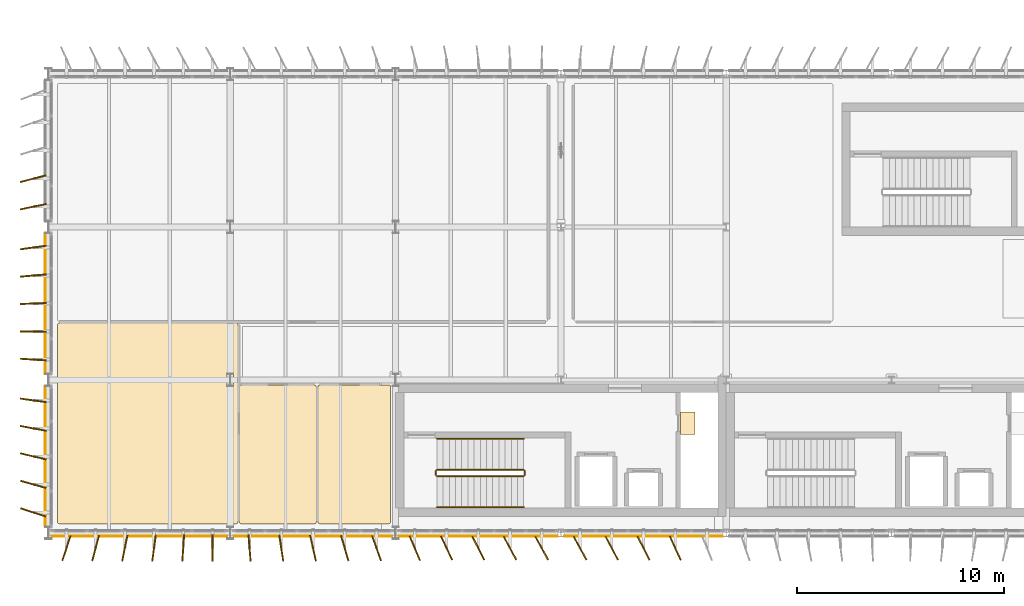
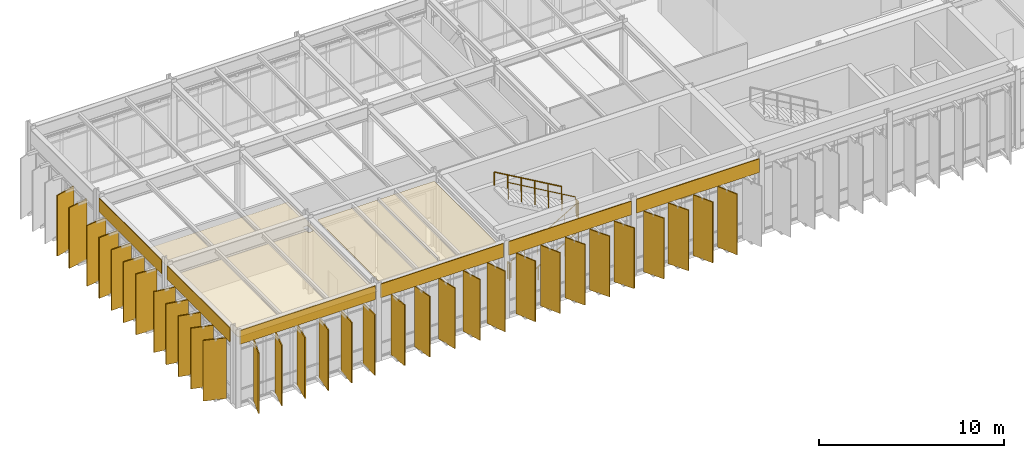
# One storey, part 40 of 48: 42 coverings, 6 railings.
"""IFC4 building model written with IfcOpenShell, lengths in metres."""

from ifc_helpers import new_model, si_unit, direction, frame, frame_2d, origin, origin_2d, place, context, subcontext, project, spatial, polyline, rectangle, circle, outline, extrude, material, layer, layer_set, type_object, element, save


model = new_model("IFC4")

# Units and contexts
model_context = context("Model", 3, precision=1e-05, world=origin(), true_north=direction((0.0, 1.0)))
body_context = subcontext(model_context, "Body", "Model", "MODEL_VIEW")
ifc_project = project(units=[si_unit("LENGTHUNIT", "METRE"), si_unit("AREAUNIT", "SQUARE_METRE"), si_unit("VOLUMEUNIT", "CUBIC_METRE"), si_unit("PLANEANGLEUNIT", "RADIAN"), si_unit("MASSUNIT", "GRAM", prefix="KILO")], contexts=[model_context])

# Site, building, storey
site_placement = place(None, origin())
site = spatial("IfcSite", under=ifc_project, at=site_placement, CompositionType="ELEMENT")
building_placement = place(site_placement, origin())
building = spatial("IfcBuilding", under=site, at=building_placement, Name="Valkorina Park Police Headquarters", CompositionType="ELEMENT")
storey_placement = place(building_placement, frame((0.0, 0.0, 18.10009765625)))
storey = spatial("IfcBuildingStorey", under=building, at=storey_placement, Name="L05", CompositionType="ELEMENT", Elevation=18.10009765625)

# Coverings
ifc_material_1 = material(Name="Acoustic mineral board")
ifc_layer_1 = layer(ifc_material_1, 0.02490234375)
ifc_layer_set_1 = layer_set([ifc_layer_1], Name="Acoustic mineral board")
covering_type_1 = type_object("IfcCoveringType", Name="COV-CEILING-ACOUST", PredefinedType="CEILING", material=ifc_layer_set_1)
covering_1_placement = place(storey_placement, frame((0.0, 0.0, 4.054931640625)))
element("IfcCovering", 1, at=covering_1_placement, inside=storey, type_object=covering_type_1, Name="Network Threat Intelligence Lab Acoustic Suspended Ceiling", PredefinedType="CEILING", context=body_context, shape_type="SweptSolid", body=[
    extrude(outline(polyline([(9.095703125, 47.158447265625), (9.087890625, 47.15966796875), (9.080078125, 47.159912109375), (0.52001953125, 47.159912109375), (0.51220703125, 47.15966796875), (0.50439453125, 47.158447265625), (0.496826171875, 47.156494140625), (0.489501953125, 47.15380859375), (0.482421875, 47.150634765625), (0.4755859375, 47.146484375), (0.46923828125, 47.141845703125), (0.46337890625, 47.13671875), (0.458251953125, 47.130859375), (0.45361328125, 47.12451171875), (0.449462890625, 47.11767578125), (0.446044921875, 47.110595703125), (0.443359375, 47.103271484375), (0.44140625, 47.095703125), (0.4404296875, 47.087890625), (0.43994140625, 47.080078125), (0.43994140625, 37.52001953125), (0.4404296875, 37.51220703125), (0.44140625, 37.50439453125), (0.443359375, 37.496826171875), (0.446044921875, 37.489501953125), (0.449462890625, 37.482421875), (0.45361328125, 37.4755859375), (0.458251953125, 37.46923828125), (0.46337890625, 37.46337890625), (0.46923828125, 37.458251953125), (0.4755859375, 37.45361328125), (0.482421875, 37.449462890625), (0.489501953125, 37.446044921875), (0.496826171875, 37.443359375), (0.50439453125, 37.44140625), (0.51220703125, 37.4404296875), (0.52001953125, 37.43994140625), (9.080078125, 37.43994140625), (9.087890625, 37.4404296875), (9.095703125, 37.44140625), (9.103271484375, 37.443359375), (9.110595703125, 37.446044921875), (9.11767578125, 37.449462890625), (9.12451171875, 37.45361328125), (9.130859375, 37.458251953125), (9.13671875, 37.46337890625), (9.141845703125, 37.46923828125), (9.146484375, 37.4755859375), (9.150634765625, 37.482421875), (9.15380859375, 37.489501953125), (9.156494140625, 37.496826171875), (9.158447265625, 37.50439453125), (9.15966796875, 37.51220703125), (9.159912109375, 37.52001953125), (9.159912109375, 47.080078125), (9.15966796875, 47.087890625), (9.158447265625, 47.095703125), (9.156494140625, 47.103271484375), (9.15380859375, 47.110595703125), (9.150634765625, 47.11767578125), (9.146484375, 47.12451171875), (9.141845703125, 47.130859375), (9.13671875, 47.13671875), (9.130859375, 47.141845703125), (9.12451171875, 47.146484375), (9.11767578125, 47.150634765625), (9.110595703125, 47.15380859375), (9.103271484375, 47.156494140625), (9.095703125, 47.158447265625)]), holes=[polyline([(8.64990234375, 44.699951171875), (8.949951171875, 44.699951171875), (8.949951171875, 44.10009765625), (8.64990234375, 44.10009765625), (8.64990234375, 44.699951171875)])]), origin(), (0.0, 0.0, 1.0), 0.02490234375),
])
covering_2_placement = place(storey_placement, frame((0.0, 0.0, 4.65478515625)))
element("IfcCovering", 2, at=covering_2_placement, inside=storey, type_object=covering_type_1, Name="L05 Male WC Acoustic Suspended Ceiling", PredefinedType="CEILING", context=body_context, shape_type="SweptSolid", body=[
    extrude(outline(polyline([(12.8955078125, 44.158447265625), (12.8876953125, 44.15966796875), (12.8798828125, 44.159912109375), (9.320068359375, 44.159912109375), (9.312255859375, 44.15966796875), (9.304443359375, 44.158447265625), (9.296875, 44.156494140625), (9.289306640625, 44.15380859375), (9.2822265625, 44.150634765625), (9.275634765625, 44.146484375), (9.269287109375, 44.141845703125), (9.263427734375, 44.13671875), (9.25830078125, 44.130859375), (9.25341796875, 44.12451171875), (9.24951171875, 44.11767578125), (9.24609375, 44.110595703125), (9.243408203125, 44.103271484375), (9.241455078125, 44.095703125), (9.240478515625, 44.087890625), (9.239990234375, 44.080078125), (9.239990234375, 37.52001953125), (9.240478515625, 37.51220703125), (9.241455078125, 37.50439453125), (9.243408203125, 37.496826171875), (9.24609375, 37.489501953125), (9.24951171875, 37.482421875), (9.25341796875, 37.4755859375), (9.25830078125, 37.46923828125), (9.263427734375, 37.46337890625), (9.269287109375, 37.458251953125), (9.275634765625, 37.45361328125), (9.2822265625, 37.449462890625), (9.289306640625, 37.446044921875), (9.296875, 37.443359375), (9.304443359375, 37.44140625), (9.312255859375, 37.4404296875), (9.320068359375, 37.43994140625), (12.8798828125, 37.43994140625), (12.8876953125, 37.4404296875), (12.8955078125, 37.44140625), (12.9033203125, 37.443359375), (12.91064453125, 37.446044921875), (12.917724609375, 37.449462890625), (12.92431640625, 37.45361328125), (12.930908203125, 37.458251953125), (12.9365234375, 37.46337890625), (12.94189453125, 37.46923828125), (12.946533203125, 37.4755859375), (12.95068359375, 37.482421875), (12.953857421875, 37.489501953125), (12.95654296875, 37.496826171875), (12.95849609375, 37.50439453125), (12.959716796875, 37.51220703125), (12.9599609375, 37.52001953125), (12.9599609375, 44.080078125), (12.959716796875, 44.087890625), (12.95849609375, 44.095703125), (12.95654296875, 44.103271484375), (12.953857421875, 44.110595703125), (12.95068359375, 44.11767578125), (12.946533203125, 44.12451171875), (12.94189453125, 44.130859375), (12.9365234375, 44.13671875), (12.930908203125, 44.141845703125), (12.92431640625, 44.146484375), (12.917724609375, 44.150634765625), (12.91064453125, 44.15380859375), (12.9033203125, 44.156494140625), (12.8955078125, 44.158447265625)])), origin(), (0.0, 0.0, 1.0), 0.025146484375),
])
covering_3_placement = place(storey_placement, frame((0.0, 0.0, 4.65478515625)))
element("IfcCovering", 3, at=covering_3_placement, inside=storey, type_object=covering_type_1, Name="L05 Female WC Acoustic Suspended Ceiling", PredefinedType="CEILING", context=body_context, shape_type="SweptSolid", body=[
    extrude(outline(polyline([(16.49560546875, 44.158447265625), (16.48779296875, 44.15966796875), (16.47998046875, 44.159912109375), (13.1201171875, 44.159912109375), (13.1123046875, 44.15966796875), (13.1044921875, 44.158447265625), (13.0966796875, 44.156494140625), (13.08935546875, 44.15380859375), (13.082275390625, 44.150634765625), (13.07568359375, 44.146484375), (13.069091796875, 44.141845703125), (13.0634765625, 44.13671875), (13.05810546875, 44.130859375), (13.053466796875, 44.12451171875), (13.04931640625, 44.11767578125), (13.046142578125, 44.110595703125), (13.04345703125, 44.103271484375), (13.04150390625, 44.095703125), (13.040283203125, 44.087890625), (13.0400390625, 44.080078125), (13.0400390625, 37.52001953125), (13.040283203125, 37.51220703125), (13.04150390625, 37.50439453125), (13.04345703125, 37.496826171875), (13.046142578125, 37.489501953125), (13.04931640625, 37.482421875), (13.053466796875, 37.4755859375), (13.05810546875, 37.46923828125), (13.0634765625, 37.46337890625), (13.069091796875, 37.458251953125), (13.07568359375, 37.45361328125), (13.082275390625, 37.449462890625), (13.08935546875, 37.446044921875), (13.0966796875, 37.443359375), (13.1044921875, 37.44140625), (13.1123046875, 37.4404296875), (13.1201171875, 37.43994140625), (16.47998046875, 37.43994140625), (16.48779296875, 37.4404296875), (16.49560546875, 37.44140625), (16.503173828125, 37.443359375), (16.510498046875, 37.446044921875), (16.517578125, 37.449462890625), (16.5244140625, 37.45361328125), (16.53076171875, 37.458251953125), (16.53662109375, 37.46337890625), (16.541748046875, 37.46923828125), (16.54638671875, 37.4755859375), (16.550537109375, 37.482421875), (16.553955078125, 37.489501953125), (16.556640625, 37.496826171875), (16.55859375, 37.50439453125), (16.5595703125, 37.51220703125), (16.56005859375, 37.52001953125), (16.56005859375, 44.080078125), (16.5595703125, 44.087890625), (16.55859375, 44.095703125), (16.556640625, 44.103271484375), (16.553955078125, 44.110595703125), (16.550537109375, 44.11767578125), (16.54638671875, 44.12451171875), (16.541748046875, 44.130859375), (16.53662109375, 44.13671875), (16.53076171875, 44.141845703125), (16.5244140625, 44.146484375), (16.517578125, 44.150634765625), (16.510498046875, 44.15380859375), (16.503173828125, 44.156494140625), (16.49560546875, 44.158447265625)])), origin(), (0.0, 0.0, 1.0), 0.025146484375),
])
ifc_material_2 = material(Name="Precast concrete C40/50", Category="concrete")
ifc_layer_2 = layer(ifc_material_2, 0.044921875)
ifc_layer_set_2 = layer_set([ifc_layer_2], Name="Precast concrete C40/50")
covering_type_2 = type_object("IfcCoveringType", Name="COV-CLAD-DOLOMITE", PredefinedType="CLADDING", material=ifc_layer_set_2)
for number, where, z_axis, x_axis, name in (
    (4, (32.639892578125, 36.840087890625, 4.06982421875), (0.0, 0.0, 1.0), (-1.0, 0.0, 0.0), "L05 Spandrel Beam Insulated Fascia 2406"),
    (5, (24.639892578125, 36.840087890625, 4.06982421875), (0.0, 0.0, 1.0), (-1.0, 0.0, 0.0), "L05 Spandrel Beam Insulated Fascia 2407"),
    (6, (16.639892578125, 36.840087890625, 4.06982421875), (0.0, 0.0, 1.0), (-1.0, 0.0, 0.0), "L05 Spandrel Beam Insulated Fascia 2408"),
):
    element("IfcCovering", number, at=place(storey_placement, frame(where, z_axis=z_axis, x_axis=x_axis)), inside=storey, type_object=covering_type_2, Name=name, PredefinedType="CLADDING", context=body_context, shape_type="SweptSolid", body=[
        extrude(rectangle(XDim=7.679931640625, YDim=0.044921875, at=frame_2d((3.83984375, 0.0))), origin(), (0.0, 0.0, 1.0), 0.91015625),
    ])
covering_4_placement = place(storey_placement, frame((8.639892578125, 36.840087890625, 4.06982421875), z_axis=(0.0, 0.0, 1.0), x_axis=(-1.0, 0.0, 0.0)))
element("IfcCovering", 7, at=covering_4_placement, inside=storey, type_object=covering_type_2, Name="L05 Spandrel Beam Insulated Fascia 2409", PredefinedType="CLADDING", context=body_context, shape_type="SweptSolid", body=[
    extrude(rectangle(XDim=8.47998046875, YDim=0.044921875, at=frame_2d((4.239990234375, 0.0))), origin(), (0.0, 0.0, 1.0), 0.91015625),
])
for number, where, z_axis, x_axis, name in (
    (8, (-0.159912109375, 37.31005859375, 4.06982421875), (0.0, 0.0, 1.0), (0.0, 1.0, 0.0), "L05 Spandrel Beam Insulated Fascia 2410"),
    (9, (-0.159912109375, 44.7099609375, 4.06982421875), (0.0, 0.0, 1.0), (0.0, 1.0, 0.0), "L05 Spandrel Beam Insulated Fascia 2411"),
):
    element("IfcCovering", number, at=place(storey_placement, frame(where, z_axis=z_axis, x_axis=x_axis)), inside=storey, type_object=covering_type_2, Name=name, PredefinedType="CLADDING", context=body_context, shape_type="SweptSolid", body=[
        extrude(rectangle(XDim=6.780029296875, YDim=0.044921875, at=frame_2d((3.39013671875, 0.0))), origin(), (0.0, 0.0, 1.0), 0.91015625),
    ])
ifc_material_3 = material(Name="Resin terrazzo flooring")
ifc_layer_3 = layer(ifc_material_3, 0.030029296875)
ifc_layer_set_3 = layer_set([ifc_layer_3], Name="Resin terrazzo flooring")
covering_type_3 = type_object("IfcCoveringType", Name="COV-FLOOR-TERRAZZO", PredefinedType="FLOORING", material=ifc_layer_set_3)
covering_5_placement = place(storey_placement, origin())
element("IfcCovering", 10, at=covering_5_placement, inside=storey, type_object=covering_type_3, Name="Core C1 L05 Riser Inspection Threshold Grate", PredefinedType="FLOORING", context=body_context, shape_type="SweptSolid", body=[
    extrude(outline(polyline([(31.280029296875, 41.75), (31.280029296875, 42.85009765625), (30.580078125, 42.85009765625), (30.580078125, 41.75), (31.280029296875, 41.75)])), origin(), (0.0, 0.0, 1.0), 0.02978515625),
])

# Railings
ifc_material_4 = material(Name="Stainless steel EN 1.4404", Category="steel")
railing_type_1 = type_object("IfcRailingType", Name="RL-GUARD-INT-1100", PredefinedType="BALUSTRADE", material=ifc_material_4)
railing_1_placement = place(storey_placement, frame((18.800048828125, 39.75, 0.17333984375)))
element("IfcRailing", 11, at=railing_1_placement, inside=storey, type_object=railing_type_1, Name="L05 Core C1 Stair Guard 1", PredefinedType="BALUSTRADE", context=body_context, shape_type="SweptSolid", body=[
    extrude(circle(Radius=0.02392578125, at=origin_2d()), frame((0.0, 0.0, 1.09619140625), z_axis=(0.865876216699, 0.0, 0.50025831063), x_axis=(0.0, 1.0, 0.0)), (0.0, 0.0, 1.0), 4.8505859375),
    extrude(circle(Radius=0.02099609375, at=origin_2d()), origin(), (0.0, 0.0, 1.0), 1.072021484375),
    extrude(circle(Radius=0.02099609375, at=origin_2d()), frame((0.840087890625, 0.0, 0.4853515625)), (0.0, 0.0, 1.0), 1.072021484375),
    extrude(circle(Radius=0.02099609375, at=origin_2d()), frame((1.679931640625, 0.0, 0.970703125)), (0.0, 0.0, 1.0), 1.072021484375),
    extrude(circle(Radius=0.02099609375, at=origin_2d()), frame((2.52001953125, 0.0, 1.455810546875)), (0.0, 0.0, 1.0), 1.072021484375),
    extrude(circle(Radius=0.02099609375, at=origin_2d()), frame((3.35986328125, 0.0, 1.941162109375)), (0.0, 0.0, 1.0), 1.072021484375),
    extrude(circle(Radius=0.02099609375, at=origin_2d()), frame((4.199951171875, 0.0, 2.426513671875)), (0.0, 0.0, 1.0), 1.072021484375),
])
railing_2_placement = place(storey_placement, frame((23.050048828125, 39.800048828125, 2.599853515625)))
element("IfcRailing", 12, at=railing_2_placement, inside=storey, type_object=railing_type_1, Name="L05 Core C1 Stair Guard 2", PredefinedType="BALUSTRADE", context=body_context, shape_type="SweptSolid", body=[
    extrude(circle(Radius=0.02392578125, at=origin_2d()), frame((0.0, 0.0, 1.09619140625), z_axis=(0.0, 1.0, 0.0), x_axis=(-1.0, 0.0, 0.0)), (0.0, 0.0, 1.0), 0.199951171875),
    extrude(circle(Radius=0.02099609375, at=origin_2d()), origin(), (0.0, 0.0, 1.0), 1.072021484375),
    extrude(circle(Radius=0.02099609375, at=origin_2d()), frame((0.0, 0.199951171875, 0.0)), (0.0, 0.0, 1.0), 1.072021484375),
])
railing_3_placement = place(storey_placement, frame((23.0, 40.050048828125, 2.773193359375)))
element("IfcRailing", 13, at=railing_3_placement, inside=storey, type_object=railing_type_1, Name="L05 Core C1 Stair Guard 3", PredefinedType="BALUSTRADE", context=body_context, shape_type="SweptSolid", body=[
    extrude(circle(Radius=0.02392578125, at=origin_2d()), frame((0.0, 0.0, 1.09619140625), z_axis=(-0.865854414154, 0.0, 0.500296045846), x_axis=(0.0, -1.0, 0.0)), (0.0, 0.0, 1.0), 4.8505859375),
    extrude(circle(Radius=0.02099609375, at=origin_2d()), origin(), (0.0, 0.0, 1.0), 1.072021484375),
    extrude(circle(Radius=0.02099609375, at=origin_2d()), frame((-0.840087890625, 0.0, 0.4853515625)), (0.0, 0.0, 1.0), 1.072021484375),
    extrude(circle(Radius=0.02099609375, at=origin_2d()), frame((-1.679931640625, 0.0, 0.970703125)), (0.0, 0.0, 1.0), 1.072021484375),
    extrude(circle(Radius=0.02099609375, at=origin_2d()), frame((-2.52001953125, 0.0, 1.4560546875)), (0.0, 0.0, 1.0), 1.072021484375),
    extrude(circle(Radius=0.02099609375, at=origin_2d()), frame((-3.35986328125, 0.0, 1.94140625)), (0.0, 0.0, 1.0), 1.072021484375),
    extrude(circle(Radius=0.02099609375, at=origin_2d()), frame((-4.199951171875, 0.0, 2.4267578125)), (0.0, 0.0, 1.0), 1.072021484375),
])
railing_4_placement = place(storey_placement, frame((18.75, 39.800048828125, 0.0)))
element("IfcRailing", 14, at=railing_4_placement, inside=storey, type_object=railing_type_1, Name="L05 Core C1 Stair Guard 4", PredefinedType="BALUSTRADE", context=body_context, shape_type="SweptSolid", body=[
    extrude(circle(Radius=0.02392578125, at=origin_2d()), frame((0.0, 0.0, 1.09619140625), z_axis=(0.0, 1.0, 0.0), x_axis=(-1.0, 0.0, 0.0)), (0.0, 0.0, 1.0), 0.199951171875),
    extrude(circle(Radius=0.02099609375, at=origin_2d()), origin(), (0.0, 0.0, 1.0), 1.072021484375),
    extrude(circle(Radius=0.02099609375, at=origin_2d()), frame((0.0, 0.199951171875, 0.0)), (0.0, 0.0, 1.0), 1.072021484375),
])
railing_type_2 = type_object("IfcRailingType", Name="RL-HANDRAIL-900", PredefinedType="HANDRAIL", material=ifc_material_4)
railing_5_placement = place(storey_placement, frame((18.800048828125, 38.25, 0.17333984375)))
element("IfcRailing", 15, at=railing_5_placement, inside=storey, type_object=railing_type_2, Name="L05 Core C1 Stair Handrail 1", PredefinedType="HANDRAIL", context=body_context, shape_type="SweptSolid", body=[
    extrude(circle(Radius=0.02392578125, at=origin_2d()), frame((0.0, 0.0, 0.8759765625), z_axis=(0.865876216699, 0.0, 0.50025831063), x_axis=(0.0, 1.0, 0.0)), (0.0, 0.0, 1.0), 4.8505859375),
    extrude(circle(Radius=0.02099609375, at=origin_2d()), origin(), (0.0, 0.0, 1.0), 0.851806640625),
    extrude(circle(Radius=0.02099609375, at=origin_2d()), frame((0.840087890625, 0.0, 0.4853515625)), (0.0, 0.0, 1.0), 0.851806640625),
    extrude(circle(Radius=0.02099609375, at=origin_2d()), frame((1.679931640625, 0.0, 0.970703125)), (0.0, 0.0, 1.0), 0.851806640625),
    extrude(circle(Radius=0.02099609375, at=origin_2d()), frame((2.52001953125, 0.0, 1.455810546875)), (0.0, 0.0, 1.0), 0.851806640625),
    extrude(circle(Radius=0.02099609375, at=origin_2d()), frame((3.35986328125, 0.0, 1.941162109375)), (0.0, 0.0, 1.0), 0.851806640625),
    extrude(circle(Radius=0.02099609375, at=origin_2d()), frame((4.199951171875, 0.0, 2.426513671875)), (0.0, 0.0, 1.0), 0.851806640625),
])
railing_6_placement = place(storey_placement, frame((23.0, 41.550048828125, 2.773193359375)))
element("IfcRailing", 16, at=railing_6_placement, inside=storey, type_object=railing_type_2, Name="L05 Core C1 Stair Handrail 2", PredefinedType="HANDRAIL", context=body_context, shape_type="SweptSolid", body=[
    extrude(circle(Radius=0.02392578125, at=origin_2d()), frame((0.0, 0.0, 0.8759765625), z_axis=(-0.865854414154, 0.0, 0.500296045846), x_axis=(0.0, -1.0, 0.0)), (0.0, 0.0, 1.0), 4.8505859375),
    extrude(circle(Radius=0.02099609375, at=origin_2d()), origin(), (0.0, 0.0, 1.0), 0.851806640625),
    extrude(circle(Radius=0.02099609375, at=origin_2d()), frame((-0.840087890625, 0.0, 0.4853515625)), (0.0, 0.0, 1.0), 0.851806640625),
    extrude(circle(Radius=0.02099609375, at=origin_2d()), frame((-1.679931640625, 0.0, 0.970703125)), (0.0, 0.0, 1.0), 0.851806640625),
    extrude(circle(Radius=0.02099609375, at=origin_2d()), frame((-2.52001953125, 0.0, 1.4560546875)), (0.0, 0.0, 1.0), 0.851806640625),
    extrude(circle(Radius=0.02099609375, at=origin_2d()), frame((-3.35986328125, 0.0, 1.94140625)), (0.0, 0.0, 1.0), 0.851806640625),
    extrude(circle(Radius=0.02099609375, at=origin_2d()), frame((-4.199951171875, 0.0, 2.4267578125)), (0.0, 0.0, 1.0), 0.851806640625),
])

# Coverings
ifc_material_5 = material(Name="Polychrome anodized aluminium - Baltic Amber", Category="aluminium")
ifc_layer_4 = layer(ifc_material_5, 0.06494140625)
ifc_layer_set_4 = layer_set([ifc_layer_4], Name="Polychrome anodized aluminium - Baltic Amber")
covering_type_4 = type_object("IfcCoveringType", Name="SHD-LOUVRE-AMBER", PredefinedType="CLADDING", material=ifc_layer_set_4)
for number, where, z_axis, x_axis, name in (
    (17, (30.3359375, 36.260009765625, 0.0400390625), (0.0, 0.0, 1.0), (0.41754991917, -0.9086539853, 0.0), "V5 Polychrome Pivoting Louvre 0209"),
    (18, (23.8720703125, 36.260009765625, 0.0400390625), (0.0, 0.0, 1.0), (0.484046186062, -0.875042450261, 0.0), "V5 Polychrome Pivoting Louvre 0213"),
    (19, (17.72802734375, 36.260009765625, 0.0400390625), (0.0, 0.0, 1.0), (0.393621046838, -0.919272794923, 0.0), "V5 Polychrome Pivoting Louvre 0217"),
    (20, (11.263916015625, 36.260009765625, 0.0400390625), (0.0, 0.0, 1.0), (0.154710386299, -0.987959865769, 0.0), "V5 Polychrome Pivoting Louvre 0221"),
    (21, (5.106689453125, 36.260009765625, 0.0400390625), (0.0, 0.0, 1.0), (-0.136061400396, -0.990700406441, 0.0), "V5 Polychrome Pivoting Louvre 0225"),
    (22, (-0.739990234375, 39.343994140625, 0.0400390625), (0.0, 0.0, 1.0), (-0.961501868857, 0.27479839189, 0.0), "V5 Polychrome Pivoting Louvre 0230"),
    (23, (-0.739990234375, 45.387939453125, 0.0400390625), (0.0, 0.0, 1.0), (-0.997881692444, 0.065054806779, 0.0), "V5 Polychrome Pivoting Louvre 0234"),
    (24, (-0.739990234375, 50.81201171875, 0.0400390625), (0.0, 0.0, 1.0), (-0.990389143102, -0.138308876163, 0.0), "V5 Polychrome Pivoting Louvre 0238"),
):
    element("IfcCovering", number, at=place(storey_placement, frame(where, z_axis=z_axis, x_axis=x_axis)), inside=storey, type_object=covering_type_4, Name=name, PredefinedType="CLADDING", context=body_context, shape_type="SweptSolid", body=[
        extrude(rectangle(XDim=1.280029296875, YDim=0.06494140625, at=origin_2d()), origin(), (0.0, 0.0, 1.0), 4.010009765625),
    ])
ifc_material_6 = material(Name="Polychrome anodized aluminium - Riga Ochre", Category="aluminium")
ifc_layer_5 = layer(ifc_material_6, 0.06494140625)
ifc_layer_set_5 = layer_set([ifc_layer_5], Name="Polychrome anodized aluminium - Riga Ochre")
covering_type_5 = type_object("IfcCoveringType", Name="SHD-LOUVRE-OCHRE", PredefinedType="CLADDING", material=ifc_layer_set_5)
for number, where, z_axis, x_axis, name in (
    (25, (27.263916015625, 36.260009765625, 0.0400390625), (0.0, 0.0, 1.0), (0.46977974103, -0.88278366258, 0.0), "V5 Polychrome Pivoting Louvre 0211"),
    (26, (20.800048828125, 36.260009765625, 0.0400390625), (0.0, 0.0, 1.0), (0.457253152537, -0.889336581107, 0.0), "V5 Polychrome Pivoting Louvre 0215"),
    (27, (14.3359375, 36.260009765625, 0.0400390625), (0.0, 0.0, 1.0), (0.283345893093, -0.959017781309, 0.0), "V5 Polychrome Pivoting Louvre 0219"),
    (28, (7.933349609375, 36.260009765625, 0.0400390625), (0.0, 0.0, 1.0), (-0.002268926081, -0.999997425984, 0.0), "V5 Polychrome Pivoting Louvre 0223"),
    (29, (2.280029296875, 36.260009765625, 0.0400390625), (0.0, 0.0, 1.0), (-0.257976017359, -0.966151320688, 0.0), "V5 Polychrome Pivoting Louvre 0227"),
    (30, (-0.739990234375, 42.055908203125, 0.0400390625), (0.0, 0.0, 1.0), (-0.982515447041, 0.186181084768, 0.0), "V5 Polychrome Pivoting Louvre 0232"),
    (31, (-0.739990234375, 48.10009765625, 0.0400390625), (0.0, 0.0, 1.0), (-0.999296035598, -0.037515773182, 0.0), "V5 Polychrome Pivoting Louvre 0236"),
    (32, (-0.739990234375, 54.14404296875, 0.0400390625), (0.0, 0.0, 1.0), (-0.967709170482, -0.252069358243, 0.0), "V5 Polychrome Pivoting Louvre 0240"),
):
    element("IfcCovering", number, at=place(storey_placement, frame(where, z_axis=z_axis, x_axis=x_axis)), inside=storey, type_object=covering_type_5, Name=name, PredefinedType="CLADDING", context=body_context, shape_type="SweptSolid", body=[
        extrude(rectangle(XDim=1.280029296875, YDim=0.06494140625, at=origin_2d()), origin(), (0.0, 0.0, 1.0), 4.010009765625),
    ])
ifc_material_7 = material(Name="Polychrome anodized aluminium - Courland Slate Blue", Category="masonry")
ifc_layer_6 = layer(ifc_material_7, 0.06494140625)
ifc_layer_set_6 = layer_set([ifc_layer_6], Name="Polychrome anodized aluminium - Courland Slate Blue")
covering_type_6 = type_object("IfcCoveringType", Name="SHD-LOUVRE-SLATE", PredefinedType="CLADDING", material=ifc_layer_set_6)
for number, where, z_axis, x_axis, name in (
    (33, (25.72802734375, 36.260009765625, 0.0400390625), (0.0, 0.0, 1.0), (0.481906611132, -0.876222584819, 0.0), "V5 Polychrome Pivoting Louvre 0212"),
    (34, (19.263916015625, 36.260009765625, 0.0400390625), (0.0, 0.0, 1.0), (0.430038445267, -0.902810575698, 0.0), "V5 Polychrome Pivoting Louvre 0216"),
    (35, (12.800048828125, 36.260009765625, 0.0400390625), (0.0, 0.0, 1.0), (0.221888875454, -0.975071959883, 0.0), "V5 Polychrome Pivoting Louvre 0220"),
    (36, (6.52001953125, 36.260009765625, 0.0400390625), (0.0, 0.0, 1.0), (-0.069930580453, -0.997551860265, 0.0), "V5 Polychrome Pivoting Louvre 0224"),
    (37, (0.86669921875, 36.260009765625, 0.0400390625), (0.0, 0.0, 1.0), (-0.311339939031, -0.950298606946, 0.0), "V5 Polychrome Pivoting Louvre 0228"),
    (38, (-0.739990234375, 37.988037109375, 0.0400390625), (0.0, 0.0, 1.0), (-0.949260941439, 0.314489530921, 0.0), "V5 Polychrome Pivoting Louvre 0229"),
    (39, (-0.739990234375, 43.412109375, 0.0400390625), (0.0, 0.0, 1.0), (-0.99041326747, 0.138136018543, 0.0), "V5 Polychrome Pivoting Louvre 0233"),
    (40, (-0.739990234375, 49.4560546875, 0.0400390625), (0.0, 0.0, 1.0), (-0.996072034691, -0.088546607536, 0.0), "V5 Polychrome Pivoting Louvre 0237"),
):
    element("IfcCovering", number, at=place(storey_placement, frame(where, z_axis=z_axis, x_axis=x_axis)), inside=storey, type_object=covering_type_6, Name=name, PredefinedType="CLADDING", context=body_context, shape_type="SweptSolid", body=[
        extrude(rectangle(XDim=1.280029296875, YDim=0.06494140625, at=origin_2d()), origin(), (0.0, 0.0, 1.0), 4.010009765625),
    ])
ifc_material_8 = material(Name="Polychrome anodized aluminium - Pine Verdigris", Category="aluminium")
ifc_layer_7 = layer(ifc_material_8, 0.06494140625)
ifc_layer_set_7 = layer_set([ifc_layer_7], Name="Polychrome anodized aluminium - Pine Verdigris")
covering_type_7 = type_object("IfcCoveringType", Name="SHD-LOUVRE-VERDIGRIS", PredefinedType="CLADDING", material=ifc_layer_set_7)
for number, where, z_axis, x_axis, name in (
    (41, (28.800048828125, 36.260009765625, 0.0400390625), (0.0, 0.0, 1.0), (0.448227204503, -0.893919668171, 0.0), "V5 Polychrome Pivoting Louvre 0210"),
    (42, (22.3359375, 36.260009765625, 0.0400390625), (0.0, 0.0, 1.0), (0.475317124823, -0.879814543441, 0.0), "V5 Polychrome Pivoting Louvre 0214"),
    (43, (15.8720703125, 36.260009765625, 0.0400390625), (0.0, 0.0, 1.0), (0.338080979059, -0.941117023328, 0.0), "V5 Polychrome Pivoting Louvre 0218"),
    (44, (9.72802734375, 36.260009765625, 0.0400390625), (0.0, 0.0, 1.0), (0.083503921245, -0.996507448611, 0.0), "V5 Polychrome Pivoting Louvre 0222"),
    (45, (3.693359375, 36.260009765625, 0.0400390625), (0.0, 0.0, 1.0), (-0.199196902256, -0.979959485964, 0.0), "V5 Polychrome Pivoting Louvre 0226"),
    (46, (-0.739990234375, 40.699951171875, 0.0400390625), (0.0, 0.0, 1.0), (-0.972735415754, 0.231917681383, 0.0), "V5 Polychrome Pivoting Louvre 0231"),
    (47, (-0.739990234375, 46.743896484375, 0.0400390625), (0.0, 0.0, 1.0), (-0.99990494564, 0.013787664215, 0.0), "V5 Polychrome Pivoting Louvre 0235"),
    (48, (-0.739990234375, 52.7880859375, 0.0400390625), (0.0, 0.0, 1.0), (-0.978220116011, -0.207570240234, 0.0), "V5 Polychrome Pivoting Louvre 0239"),
):
    element("IfcCovering", number, at=place(storey_placement, frame(where, z_axis=z_axis, x_axis=x_axis)), inside=storey, type_object=covering_type_7, Name=name, PredefinedType="CLADDING", context=body_context, shape_type="SweptSolid", body=[
        extrude(rectangle(XDim=1.280029296875, YDim=0.06494140625, at=origin_2d()), origin(), (0.0, 0.0, 1.0), 4.010009765625),
    ])

save(model, "model.ifc")
